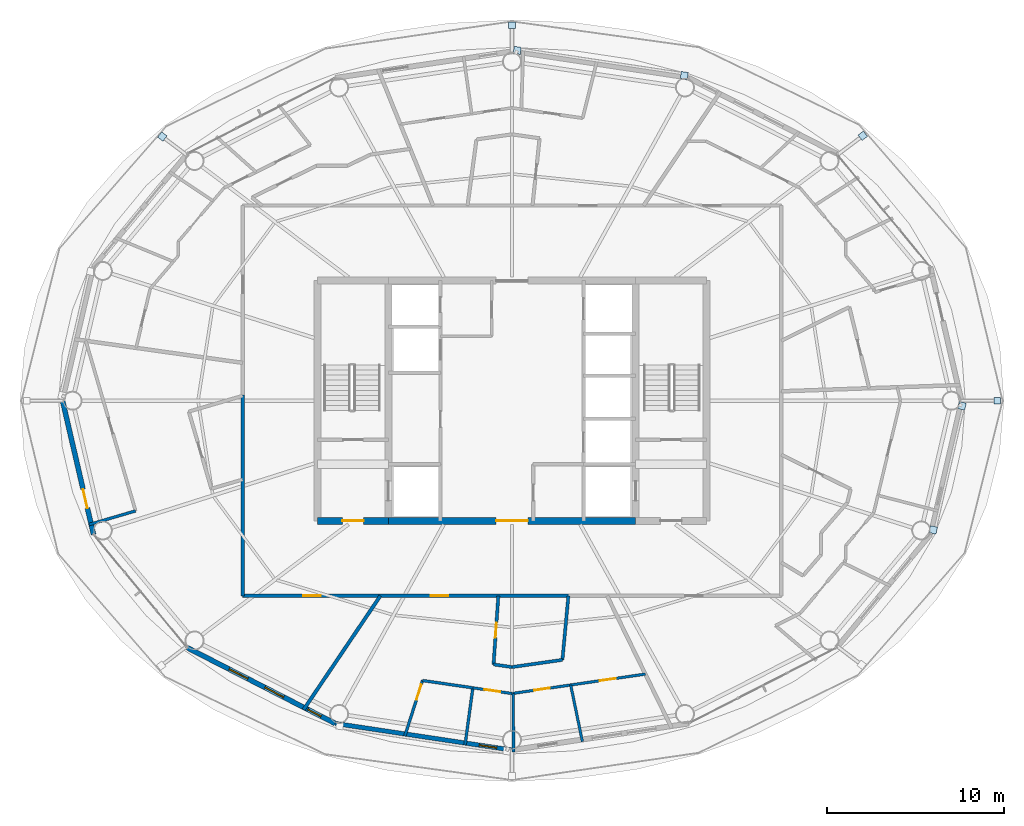
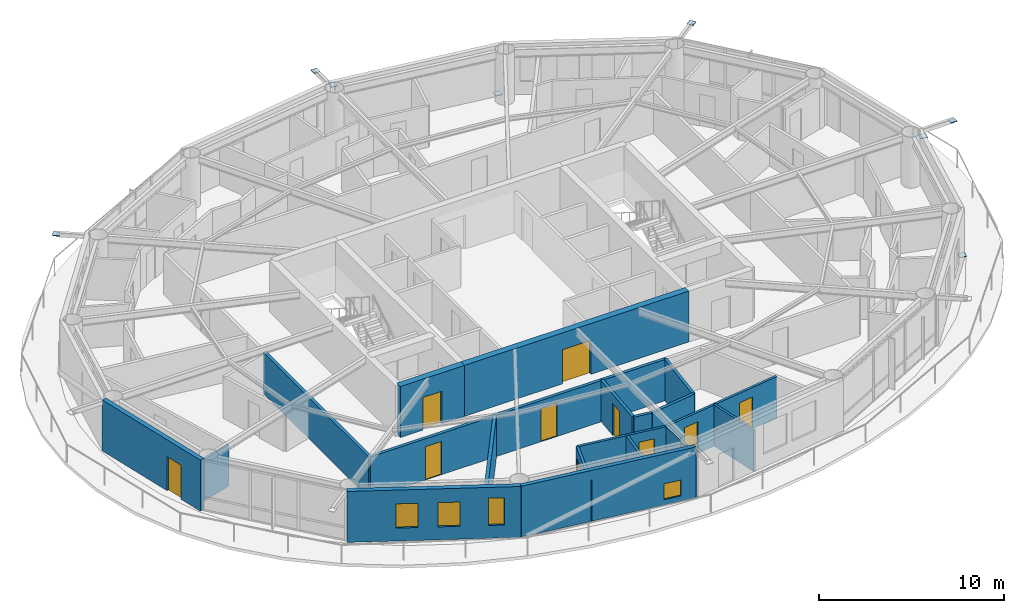
# One storey, part 15 of 23: 20 walls, 10 doors, 8 plates, 4 windows, 14 openings.
"""IFC4 building model written with IfcOpenShell, lengths in metres."""

from ifc_helpers import new_model, si_unit, direction, frame, frame_2d, origin, origin_2d, place, context, subcontext, project, spatial, rectangle, extrude, material, layer, layer_set, type_object, element, fill, save


model = new_model("IFC4")

# Units and contexts
model_context = context("Model", 3, precision=1e-05, world=origin(), true_north=direction((0.0, 1.0)))
body_context = subcontext(model_context, "Body", "Model", "MODEL_VIEW")
ifc_project = project(units=[si_unit("LENGTHUNIT", "METRE"), si_unit("AREAUNIT", "SQUARE_METRE"), si_unit("VOLUMEUNIT", "CUBIC_METRE"), si_unit("PLANEANGLEUNIT", "RADIAN"), si_unit("MASSUNIT", "GRAM", prefix="KILO")], contexts=[model_context])

# Site, building, storey
site_placement = place(None, origin())
site = spatial("IfcSite", under=ifc_project, at=site_placement, CompositionType="ELEMENT")
building_placement = place(site_placement, origin())
building = spatial("IfcBuilding", under=site, at=building_placement, Name="Sarneth Arch Tower", CompositionType="ELEMENT")
storey_placement = place(building_placement, frame((0.0, 0.0, 235.199951171875)))
storey = spatial("IfcBuildingStorey", under=building, at=storey_placement, Name="L60", CompositionType="ELEMENT", Elevation=235.199951171875)

# Plates
ifc_material_1 = material(Name="Steel S355", Category="steel")
ifc_layer_1 = layer(ifc_material_1, 0.035888671875)
ifc_layer_set_1 = layer_set([ifc_layer_1], Name="Steel S355")
plate_type = type_object("IfcPlateType", Name="PLT-GUSSET-30", PredefinedType="SHEET", material=ifc_layer_set_1)
for number, where, z_axis, x_axis, name in (
    (1, (75.48046875, 42.0, 3.18212890625), (0.0, 0.0, 1.0), (1.0, 0.0, 0.0), "Steel end cap plate GP-1"),
    (2, (67.861083984375, 57.000732421875, 3.18212890625), (0.0, 0.0, 1.0), (0.798004853043, 0.602651022168, 0.0), "Steel end cap plate GP-1"),
):
    element("IfcPlate", number, at=place(storey_placement, frame(where, z_axis=z_axis, x_axis=x_axis)), inside=storey, type_object=plate_type, Name=name, PredefinedType="SHEET", context=body_context, shape_type="SweptSolid", body=[
        extrude(rectangle(XDim=0.3798828125, YDim=0.3798828125, at=origin_2d()), origin(), (0.0, 0.0, 1.0), 0.035888671875),
    ])
for number, where, z_axis, x_axis, name in (
    (3, (57.754150390625, 60.411376953125, 0.001953125), (0.0, 0.0, 1.0), (-0.988860535448, 0.148845024885, 0.0), "Steel end cap plate GP-1"),
    (4, (48.296630859375, 61.83544921875, 3.0185546875), (0.0, 0.0, 1.0), (-0.988860535448, 0.148845024885, 0.0), "Steel end cap plate GP-1"),
):
    element("IfcPlate", number, at=place(storey_placement, frame(where, z_axis=z_axis, x_axis=x_axis)), inside=storey, type_object=plate_type, Name=name, PredefinedType="SHEET", context=body_context, shape_type="SweptSolid", body=[
        extrude(rectangle(XDim=0.404052734375, YDim=0.404052734375, at=origin_2d()), origin(), (0.0, 0.0, 1.0), 0.035888671875),
    ])
for number, where, z_axis, x_axis, name in (
    (5, (48.0, 63.252685546875, 3.18212890625), (0.0, 0.0, 1.0), (0.0, 1.0, 0.0), "Steel end cap plate GP-1"),
    (6, (28.199951171875, 56.95458984375, 3.18212890625), (0.0, 0.0, 1.0), (-0.798004853043, 0.602651022168, 0.0), "Steel end cap plate GP-1"),
):
    element("IfcPlate", number, at=place(storey_placement, frame(where, z_axis=z_axis, x_axis=x_axis)), inside=storey, type_object=plate_type, Name=name, PredefinedType="SHEET", context=body_context, shape_type="SweptSolid", body=[
        extrude(rectangle(XDim=0.3798828125, YDim=0.3798828125, at=origin_2d()), origin(), (0.0, 0.0, 1.0), 0.035888671875),
    ])
for number, where, z_axis, x_axis, name in (
    (7, (71.851806640625, 34.6845703125, 0.001953125), (0.0, 0.0, 1.0), (0.225461202458, 0.974252147129, 0.0), "Steel end cap plate GP-1"),
    (8, (73.4765625, 41.707763671875, 3.0185546875), (0.0, 0.0, 1.0), (0.225461202458, 0.974252147129, 0.0), "Steel end cap plate GP-1"),
):
    element("IfcPlate", number, at=place(storey_placement, frame(where, z_axis=z_axis, x_axis=x_axis)), inside=storey, type_object=plate_type, Name=name, PredefinedType="SHEET", context=body_context, shape_type="SweptSolid", body=[
        extrude(rectangle(XDim=0.404052734375, YDim=0.404052734375, at=origin_2d()), origin(), (0.0, 0.0, 1.0), 0.035888671875),
    ])

# Wall, opening, door
ifc_material_2 = material(Name="Concrete C50/60", Category="concrete")
ifc_layer_2 = layer(ifc_material_2, 0.39990234375)
ifc_layer_set_2 = layer_set([ifc_layer_2], Name="Concrete C50/60")
wall_type_1 = type_object("IfcWallType", Name="WALL-CORE-400", PredefinedType="SHEAR", material=ifc_layer_set_2)
wall_1_placement = place(storey_placement, frame((37.0, 35.199951171875, 0.0), z_axis=(0.0, 0.0, 1.0), x_axis=(1.0, 0.0, 0.0)))
wall_1 = element("IfcWall", 9, at=wall_1_placement, inside=storey, type_object=wall_type_1, Name="L60 Core shear wall S-W", PredefinedType="SHEAR", context=body_context, shape_type="SweptSolid", body=[
    extrude(rectangle(XDim=4.0, YDim=0.39990234375, at=frame_2d((2.0, 0.0))), origin(), (0.0, 0.0, 1.0), 3.360107421875),
])
opening_1_placement = place(wall_1_placement, frame((1.39990234375, 0.0, 0.0)))
opening_1 = element("IfcOpeningElement", 10, at=opening_1_placement, cuts=wall_1, Name="Opening FD-02", PredefinedType="OPENING", context=body_context, shape_type="SweptSolid", body=[
    extrude(rectangle(XDim=1.199951171875, YDim=2.14990234375, at=frame_2d((0.60009765625, 1.074951171875))), frame((0.0, 0.2099609375, 0.0), z_axis=(0.0, -1.0, 0.0), x_axis=(1.0, 0.0, 0.0)), (0.0, 0.0, 1.0), 0.419921875),
])
ifc_material_3 = material(Name="Galvanised Steel S275 fire door set", Category="steel")
door_type_1 = type_object("IfcDoorType", Name="DR-FD90-1200", OperationType="SINGLE_SWING_LEFT", PredefinedType="DOOR", material=ifc_material_3)
door_1_placement = place(opening_1_placement, origin())
door_1 = element("IfcDoor", 11, at=door_1_placement, inside=storey, type_object=door_type_1, Name="L60 Firefighting lobby 1 exit door", OperationType="SINGLE_SWING_LEFT", OverallHeight=2.14990234375, OverallWidth=1.199951171875, PredefinedType="DOOR", context=body_context, shape_type="SweptSolid", body=[
    extrude(rectangle(XDim=1.199951171875, YDim=2.14990234375, at=frame_2d((0.60009765625, 1.074951171875))), frame((0.0, 0.02490234375, 0.0), z_axis=(0.0, -1.0, 0.0), x_axis=(1.0, 0.0, 0.0)), (0.0, 0.0, 1.0), 0.050048828125),
])
fill(opening_1, door_1)

wall_2_placement = place(storey_placement, frame((41.0, 35.199951171875, 0.0), z_axis=(0.0, 0.0, 1.0), x_axis=(1.0, 0.0, 0.0)))
wall_2 = element("IfcWall", 12, at=wall_2_placement, inside=storey, type_object=wall_type_1, Name="L60 Core shear wall S-M", PredefinedType="SHEAR", context=body_context, shape_type="SweptSolid", body=[
    extrude(rectangle(XDim=14.0, YDim=0.39990234375, at=frame_2d((7.0, 0.0))), origin(), (0.0, 0.0, 1.0), 3.360107421875),
])
opening_2_placement = place(wall_2_placement, frame((6.10009765625, 0.0, 0.0)))
opening_2 = element("IfcOpeningElement", 13, at=opening_2_placement, cuts=wall_2, Name="Opening FD-01", PredefinedType="OPENING", context=body_context, shape_type="SweptSolid", body=[
    extrude(rectangle(XDim=1.800048828125, YDim=2.25, at=frame_2d((0.89990234375, 1.125))), frame((0.0, 0.2099609375, 0.0), z_axis=(0.0, -1.0, 0.0), x_axis=(1.0, 0.0, 0.0)), (0.0, 0.0, 1.0), 0.419921875),
])
ifc_material_4 = material(Name="Galvanised Steel S275 fire door set", Category="steel")
door_type_2 = type_object("IfcDoorType", Name="DR-FD90-1800", OperationType="DOUBLE_DOOR_SINGLE_SWING", PredefinedType="DOOR", material=ifc_material_4)
door_2_placement = place(opening_2_placement, origin())
door_2 = element("IfcDoor", 14, at=door_2_placement, inside=storey, type_object=door_type_2, Name="L60 Central lift lobby south door", OperationType="DOUBLE_DOOR_SINGLE_SWING", OverallHeight=2.25, OverallWidth=1.800048828125, PredefinedType="DOOR", context=body_context, shape_type="SweptSolid", body=[
    extrude(rectangle(XDim=1.800048828125, YDim=2.25, at=frame_2d((0.89990234375, 1.125))), frame((0.0, 0.02490234375, 0.0), z_axis=(0.0, -1.0, 0.0), x_axis=(1.0, 0.0, 0.0)), (0.0, 0.0, 1.0), 0.050048828125),
])
fill(opening_2, door_2)

# Wall, openings, doors
ifc_material_5 = material(Name="Double steel-stud corridor fire wall", Category="steel")
ifc_layer_3 = layer(ifc_material_5, 0.18994140625)
ifc_layer_set_3 = layer_set([ifc_layer_3], Name="Double steel-stud corridor fire wall")
wall_type_2 = type_object("IfcWallType", Name="WALL-CORR-190", PredefinedType="PARTITIONING", material=ifc_layer_set_3)
wall_3_placement = place(storey_placement, frame((51.2255859375, 30.949951171875, 0.0), z_axis=(0.0, 0.0, 1.0), x_axis=(-1.0, 0.0, 0.0)))
wall_3 = element("IfcWall", 15, at=wall_3_placement, inside=storey, type_object=wall_type_2, Name="L60 Interior partition W-L60-TP-010", PredefinedType="PARTITIONING", context=body_context, shape_type="SweptSolid", body=[
    extrude(rectangle(XDim=18.4755859375, YDim=0.18994140625, at=frame_2d((9.23779296875, 0.0))), origin(), (0.0, 0.0, 1.0), 2.719970703125),
])
opening_3_placement = place(wall_3_placement, frame((14.057861328125, 0.0, 0.0)))
opening_3 = element("IfcOpeningElement", 16, at=opening_3_placement, cuts=wall_3, Name="Opening FD-08", PredefinedType="OPENING", context=body_context, shape_type="SweptSolid", body=[
    extrude(rectangle(XDim=1.0, YDim=2.199951171875, at=frame_2d((0.5, 1.10009765625))), frame((0.0, 0.10498046875, 0.0), z_axis=(0.0, -1.0, 0.0), x_axis=(1.0, 0.0, 0.0)), (0.0, 0.0, 1.0), 0.2099609375),
])
opening_4_placement = place(wall_3_placement, frame((6.838623046875, 0.0, 0.0)))
opening_4 = element("IfcOpeningElement", 17, at=opening_4_placement, cuts=wall_3, Name="Opening FD-08", PredefinedType="OPENING", context=body_context, shape_type="SweptSolid", body=[
    extrude(rectangle(XDim=1.0, YDim=2.199951171875, at=frame_2d((0.5, 1.10009765625))), frame((0.0, 0.10498046875, 0.0), z_axis=(0.0, -1.0, 0.0), x_axis=(1.0, 0.0, 0.0)), (0.0, 0.0, 1.0), 0.2099609375),
])
ifc_material_6 = material(Name="Hardwood timber acoustic fire door", Category="wood")
door_type_3 = type_object("IfcDoorType", Name="DR-FD60-1000", OperationType="SINGLE_SWING_LEFT", PredefinedType="DOOR", material=ifc_material_6)
door_3_placement = place(opening_3_placement, origin())
door_3 = element("IfcDoor", 18, at=door_3_placement, inside=storey, type_object=door_type_3, Name="L60 Interior door DR-L60-U4-ENT", OperationType="SINGLE_SWING_RIGHT", OverallHeight=2.199951171875, OverallWidth=1.0, PredefinedType="DOOR", context=body_context, shape_type="SweptSolid", body=[
    extrude(rectangle(XDim=1.0, YDim=2.199951171875, at=frame_2d((0.5, 1.10009765625))), frame((0.0, 0.02490234375, 0.0), z_axis=(0.0, -1.0, 0.0), x_axis=(1.0, 0.0, 0.0)), (0.0, 0.0, 1.0), 0.050048828125),
])
fill(opening_3, door_3)
door_4_placement = place(opening_4_placement, origin())
door_4 = element("IfcDoor", 19, at=door_4_placement, inside=storey, type_object=door_type_3, Name="L60 Interior door DR-L60-U5-ENT", OperationType="SINGLE_SWING_RIGHT", OverallHeight=2.199951171875, OverallWidth=1.0, PredefinedType="DOOR", context=body_context, shape_type="SweptSolid", body=[
    extrude(rectangle(XDim=1.0, YDim=2.199951171875, at=frame_2d((0.5, 1.10009765625))), frame((0.0, 0.02490234375, 0.0), z_axis=(0.0, -1.0, 0.0), x_axis=(1.0, 0.0, 0.0)), (0.0, 0.0, 1.0), 0.050048828125),
])
fill(opening_4, door_4)

# Wall
wall_4_placement = place(storey_placement, frame((32.75, 30.949951171875, 0.0), z_axis=(0.0, 0.0, 1.0), x_axis=(0.0, 1.0, 0.0)))
element("IfcWall", 20, at=wall_4_placement, inside=storey, type_object=wall_type_2, Name="L60 Interior partition W-L60-TP-011", PredefinedType="PARTITIONING", context=body_context, shape_type="SweptSolid", body=[
    extrude(rectangle(XDim=11.359619140625, YDim=0.18994140625, at=frame_2d((5.6796875, 0.0))), origin(), (0.0, 0.0, 1.0), 2.719970703125),
])

# Wall, opening, window
ifc_material_7 = material(Name="Extruded terracotta rainscreen on Concrete C40/50 backing", Category="masonry")
ifc_layer_4 = layer(ifc_material_7, 0.25)
ifc_layer_set_4 = layer_set([ifc_layer_4], Name="Extruded terracotta rainscreen on Concrete C40/50 backing")
wall_type_3 = type_object("IfcWallType", Name="WALL-EXT-SPAND-250", PredefinedType="SOLIDWALL", material=ifc_layer_set_4)
wall_5_placement = place(storey_placement, frame((37.9873046875, 23.7255859375, 0.0), z_axis=(0.0, 0.0, 1.0), x_axis=(0.988882522213, -0.148698881169, 0.0)))
wall_5 = element("IfcWall", 21, at=wall_5_placement, inside=storey, type_object=wall_type_3, Name="L60 Terracotta perimeter wall 12", PredefinedType="SOLIDWALL", context=body_context, shape_type="SweptSolid", body=[
    extrude(rectangle(XDim=10.125244140625, YDim=0.25, at=frame_2d((5.0625, 0.0))), origin(), (0.0, 0.0, 1.0), 3.360107421875),
])
opening_5_placement = place(wall_5_placement, frame((8.259033203125, 0.0, 0.35009765625)))
opening_5 = element("IfcOpeningElement", 22, at=opening_5_placement, cuts=wall_5, Name="Opening W-14", PredefinedType="OPENING", context=body_context, shape_type="SweptSolid", body=[
    extrude(rectangle(XDim=1.0, YDim=1.050048828125, at=frame_2d((0.5, 0.52490234375))), frame((0.0, 0.135009765625, 0.0), z_axis=(0.0, -1.0, 0.0), x_axis=(1.0, 0.0, 0.0)), (0.0, 0.0, 1.0), 0.27001953125),
])
ifc_material_8 = material(Name="Thermally broken Aluminium 6063-T6 and low-e laminated IGU", Category="aluminium")
window_type_1 = type_object("IfcWindowType", Name="WIN-TWR-1000x1050", PartitioningType="SINGLE_PANEL", PredefinedType="WINDOW", material=ifc_material_8)
window_1_placement = place(opening_5_placement, origin())
window_1 = element("IfcWindow", 23, at=window_1_placement, inside=storey, type_object=window_type_1, Name="L60 Dwelling bedroom window 05", OverallHeight=1.050048828125, OverallWidth=1.0, PartitioningType="SINGLE_PANEL", PredefinedType="WINDOW", context=body_context, shape_type="SweptSolid", body=[
    extrude(rectangle(XDim=1.0, YDim=1.050048828125, at=frame_2d((0.5, 0.52490234375))), frame((0.0, 0.030029296875, 0.0), z_axis=(0.0, -1.0, 0.0), x_axis=(1.0, 0.0, 0.0)), (0.0, 0.0, 1.0), 0.06005859375),
])
fill(opening_5, window_1)

# Wall, opening, door
ifc_material_9 = material(Name="Extruded terracotta rainscreen on Concrete C40/50 backing", Category="masonry")
ifc_layer_5 = layer(ifc_material_9, 0.280029296875)
ifc_layer_set_5 = layer_set([ifc_layer_5], Name="Extruded terracotta rainscreen on Concrete C40/50 backing")
wall_type_4 = type_object("IfcWallType", Name="WALL-EXT-TERRA-280", PredefinedType="SOLIDWALL", material=ifc_layer_set_5)
wall_6_placement = place(storey_placement, frame((22.552978515625, 42.0, 0.0), z_axis=(0.0, 0.0, 1.0), x_axis=(0.225635078214, -0.974211892495, 0.0)))
wall_6 = element("IfcWall", 24, at=wall_6_placement, inside=storey, type_object=wall_type_4, Name="L60 Terracotta perimeter wall 09", PredefinedType="SOLIDWALL", context=body_context, shape_type="SweptSolid", body=[
    extrude(rectangle(XDim=7.77001953125, YDim=0.280029296875, at=frame_2d((3.885009765625, 0.0))), origin(), (0.0, 0.0, 1.0), 3.360107421875),
])
opening_6_placement = place(wall_6_placement, frame((5.14208984375, 0.0, 0.0)))
opening_6 = element("IfcOpeningElement", 25, at=opening_6_placement, cuts=wall_6, Name="Opening BD-3", PredefinedType="OPENING", context=body_context, shape_type="SweptSolid", body=[
    extrude(rectangle(XDim=1.10009765625, YDim=2.25, at=frame_2d((0.550048828125, 1.125))), frame((0.0, 0.14990234375, 0.0), z_axis=(0.0, -1.0, 0.0), x_axis=(1.0, 0.0, 0.0)), (0.0, 0.0, 1.0), 0.300048828125),
])
ifc_material_10 = material(Name="Thermally broken Aluminium 6063-T6 and laminated safety glass", Category="aluminium")
door_type_4 = type_object("IfcDoorType", Name="DR-BALC-GLZ-1100", OperationType="SINGLE_SWING_LEFT", PredefinedType="DOOR", material=ifc_material_10)
door_5_placement = place(opening_6_placement, origin())
door_5 = element("IfcDoor", 26, at=door_5_placement, inside=storey, type_object=door_type_4, Name="L60 Balcony glazed door 09", OperationType="SINGLE_SWING_LEFT", OverallHeight=2.25, OverallWidth=1.10009765625, PredefinedType="DOOR", context=body_context, shape_type="SweptSolid", body=[
    extrude(rectangle(XDim=1.10009765625, YDim=2.25, at=frame_2d((0.550048828125, 1.125))), frame((0.0, 0.02490234375, 0.0), z_axis=(0.0, -1.0, 0.0), x_axis=(1.0, 0.0, 0.0)), (0.0, 0.0, 1.0), 0.050048828125),
])
fill(opening_6, door_5)

# Wall, openings, windows
wall_7_placement = place(storey_placement, frame((29.617431640625, 28.013427734375, 0.0), z_axis=(0.0, 0.0, 1.0), x_axis=(0.890007394051, -0.455946091699, 0.0)))
wall_7 = element("IfcWall", 27, at=wall_7_placement, inside=storey, type_object=wall_type_4, Name="L60 Terracotta perimeter wall 11", PredefinedType="SOLIDWALL", context=body_context, shape_type="SweptSolid", body=[
    extrude(rectangle(XDim=9.404296875, YDim=0.280029296875, at=frame_2d((4.7021484375, 0.0))), origin(), (0.0, 0.0, 1.0), 3.360107421875),
])
opening_7_placement = place(wall_7_placement, frame((2.653076171875, 0.0, 0.85009765625)))
opening_7 = element("IfcOpeningElement", 28, at=opening_7_placement, cuts=wall_7, Name="Opening W-10", PredefinedType="OPENING", context=body_context, shape_type="SweptSolid", body=[
    extrude(rectangle(XDim=1.199951171875, YDim=1.60009765625, at=frame_2d((0.60009765625, 0.800048828125))), frame((0.0, 0.14990234375, 0.0), z_axis=(0.0, -1.0, 0.0), x_axis=(1.0, 0.0, 0.0)), (0.0, 0.0, 1.0), 0.300048828125),
])
opening_8_placement = place(wall_7_placement, frame((4.930419921875, 0.0, 0.85009765625)))
opening_8 = element("IfcOpeningElement", 29, at=opening_8_placement, cuts=wall_7, Name="Opening W-10", PredefinedType="OPENING", context=body_context, shape_type="SweptSolid", body=[
    extrude(rectangle(XDim=1.199951171875, YDim=1.60009765625, at=frame_2d((0.60009765625, 0.800048828125))), frame((0.0, 0.14990234375, 0.0), z_axis=(0.0, -1.0, 0.0), x_axis=(1.0, 0.0, 0.0)), (0.0, 0.0, 1.0), 0.300048828125),
])
opening_9_placement = place(wall_7_placement, frame((7.66259765625, 0.0, 0.85009765625)))
opening_9 = element("IfcOpeningElement", 30, at=opening_9_placement, cuts=wall_7, Name="Opening W-12", PredefinedType="OPENING", context=body_context, shape_type="SweptSolid", body=[
    extrude(rectangle(XDim=0.85009765625, YDim=1.800048828125, at=frame_2d((0.425048828125, 0.89990234375))), frame((0.0, 0.14990234375, 0.0), z_axis=(0.0, -1.0, 0.0), x_axis=(1.0, 0.0, 0.0)), (0.0, 0.0, 1.0), 0.300048828125),
])
ifc_material_11 = material(Name="Thermally broken Aluminium 6063-T6 and low-e laminated IGU", Category="aluminium")
window_type_2 = type_object("IfcWindowType", Name="WIN-TWR-1200x1600", PartitioningType="SINGLE_PANEL", PredefinedType="WINDOW", material=ifc_material_11)
window_2_placement = place(opening_7_placement, origin())
window_2 = element("IfcWindow", 31, at=window_2_placement, inside=storey, type_object=window_type_2, Name="L60 Exterior window 11A", OverallHeight=1.60009765625, OverallWidth=1.199951171875, PartitioningType="SINGLE_PANEL", PredefinedType="WINDOW", context=body_context, shape_type="SweptSolid", body=[
    extrude(rectangle(XDim=1.199951171875, YDim=1.60009765625, at=frame_2d((0.60009765625, 0.800048828125))), frame((0.0, 0.030029296875, 0.0), z_axis=(0.0, -1.0, 0.0), x_axis=(1.0, 0.0, 0.0)), (0.0, 0.0, 1.0), 0.06005859375),
])
fill(opening_7, window_2)
window_3_placement = place(opening_8_placement, origin())
window_3 = element("IfcWindow", 32, at=window_3_placement, inside=storey, type_object=window_type_2, Name="L60 Exterior window 11B", OverallHeight=1.60009765625, OverallWidth=1.199951171875, PartitioningType="SINGLE_PANEL", PredefinedType="WINDOW", context=body_context, shape_type="SweptSolid", body=[
    extrude(rectangle(XDim=1.199951171875, YDim=1.60009765625, at=frame_2d((0.60009765625, 0.800048828125))), frame((0.0, 0.030029296875, 0.0), z_axis=(0.0, -1.0, 0.0), x_axis=(1.0, 0.0, 0.0)), (0.0, 0.0, 1.0), 0.06005859375),
])
fill(opening_8, window_3)
ifc_material_12 = material(Name="Thermally broken Aluminium 6063-T6 and low-e laminated IGU", Category="aluminium")
window_type_3 = type_object("IfcWindowType", Name="WIN-TWR-850x1800", PartitioningType="SINGLE_PANEL", PredefinedType="WINDOW", material=ifc_material_12)
window_4_placement = place(opening_9_placement, origin())
window_4 = element("IfcWindow", 33, at=window_4_placement, inside=storey, type_object=window_type_3, Name="L60 Dwelling bedroom window 04", OverallHeight=1.800048828125, OverallWidth=0.85009765625, PartitioningType="SINGLE_PANEL", PredefinedType="WINDOW", context=body_context, shape_type="SweptSolid", body=[
    extrude(rectangle(XDim=0.85009765625, YDim=1.800048828125, at=frame_2d((0.425048828125, 0.89990234375))), frame((0.0, 0.030029296875, 0.0), z_axis=(0.0, -1.0, 0.0), x_axis=(1.0, 0.0, 0.0)), (0.0, 0.0, 1.0), 0.06005859375),
])
fill(opening_9, window_4)

# Wall, openings, doors
ifc_material_13 = material(Name="Acoustic gypsum stud partition", Category="gypsum")
ifc_layer_6 = layer(ifc_material_13, 0.14990234375)
ifc_layer_set_6 = layer_set([ifc_layer_6], Name="Acoustic gypsum stud partition")
wall_type_5 = type_object("IfcWallType", Name="WALL-PART-150", PredefinedType="PARTITIONING", material=ifc_layer_set_6)
wall_8_placement = place(storey_placement, frame((55.5498046875, 26.52099609375, 0.0), z_axis=(0.0, 0.0, 1.0), x_axis=(-0.989535469331, -0.144289829636, 0.0)))
wall_8 = element("IfcWall", 34, at=wall_8_placement, inside=storey, type_object=wall_type_5, Name="L60 Interior partition W-L60-TP-088", PredefinedType="PARTITIONING", context=body_context, shape_type="SweptSolid", body=[
    extrude(rectangle(XDim=7.588623046875, YDim=0.14990234375, at=frame_2d((3.79443359375, 0.0))), origin(), (0.0, 0.0, 1.0), 2.719970703125),
])
opening_10_placement = place(wall_8_placement, frame((1.701416015625, 0.0, 0.0)))
opening_10 = element("IfcOpeningElement", 35, at=opening_10_placement, cuts=wall_8, Name="Opening ID-01", PredefinedType="OPENING", context=body_context, shape_type="SweptSolid", body=[
    extrude(rectangle(XDim=0.89990234375, YDim=2.10009765625, at=frame_2d((0.449951171875, 1.050048828125))), frame((0.0, 0.0849609375, 0.0), z_axis=(0.0, -1.0, 0.0), x_axis=(1.0, 0.0, 0.0)), (0.0, 0.0, 1.0), 0.169921875),
])
opening_11_placement = place(wall_8_placement, frame((5.463623046875, 0.0, 0.0)))
opening_11 = element("IfcOpeningElement", 36, at=opening_11_placement, cuts=wall_8, Name="Opening ID-01", PredefinedType="OPENING", context=body_context, shape_type="SweptSolid", body=[
    extrude(rectangle(XDim=0.89990234375, YDim=2.10009765625, at=frame_2d((0.449951171875, 1.050048828125))), frame((0.0, 0.0849609375, 0.0), z_axis=(0.0, -1.0, 0.0), x_axis=(1.0, 0.0, 0.0)), (0.0, 0.0, 1.0), 0.169921875),
])
ifc_material_14 = material(Name="Engineered hardwood flush door", Category="wood")
door_type_5 = type_object("IfcDoorType", Name="DR-INT-900", OperationType="SINGLE_SWING_LEFT", PredefinedType="DOOR", material=ifc_material_14)
door_6_placement = place(opening_10_placement, origin())
door_6 = element("IfcDoor", 37, at=door_6_placement, inside=storey, type_object=door_type_5, Name="L60 Interior door DR-L60-U5-BED3", OperationType="SINGLE_SWING_RIGHT", OverallHeight=2.10009765625, OverallWidth=0.89990234375, PredefinedType="DOOR", context=body_context, shape_type="SweptSolid", body=[
    extrude(rectangle(XDim=0.89990234375, YDim=2.10009765625, at=frame_2d((0.449951171875, 1.050048828125))), frame((0.0, 0.02490234375, 0.0), z_axis=(0.0, -1.0, 0.0), x_axis=(1.0, 0.0, 0.0)), (0.0, 0.0, 1.0), 0.050048828125),
])
fill(opening_10, door_6)
door_7_placement = place(opening_11_placement, origin())
door_7 = element("IfcDoor", 38, at=door_7_placement, inside=storey, type_object=door_type_5, Name="L60 Interior door DR-L60-U5-BED2", OperationType="SINGLE_SWING_LEFT", OverallHeight=2.10009765625, OverallWidth=0.89990234375, PredefinedType="DOOR", context=body_context, shape_type="SweptSolid", body=[
    extrude(rectangle(XDim=0.89990234375, YDim=2.10009765625, at=frame_2d((0.449951171875, 1.050048828125))), frame((0.0, 0.02490234375, 0.0), z_axis=(0.0, -1.0, 0.0), x_axis=(1.0, 0.0, 0.0)), (0.0, 0.0, 1.0), 0.050048828125),
])
fill(opening_11, door_7)

# Walls
wall_9_placement = place(storey_placement, frame((48.087158203125, 22.113037109375, 0.0), z_axis=(0.0, 0.0, 1.0), x_axis=(-0.004415292895, 0.999990252547, 0.0)))
element("IfcWall", 39, at=wall_9_placement, inside=storey, type_object=wall_type_5, Name="L60 Interior partition W-L60-TP-091", PredefinedType="PARTITIONING", context=body_context, shape_type="SweptSolid", body=[
    extrude(rectangle(XDim=3.317626953125, YDim=0.14990234375, at=frame_2d((1.65869140625, 0.0))), origin(), (0.0, 0.0, 1.0), 2.719970703125),
])
wall_10_placement = place(storey_placement, frame((51.32373046875, 25.90478515625, 0.0), z_axis=(0.0, 0.0, 1.0), x_axis=(0.202292458381, -0.979325156055, 0.0)))
element("IfcWall", 40, at=wall_10_placement, inside=storey, type_object=wall_type_5, Name="L60 Interior partition W-L60-TP-092", PredefinedType="PARTITIONING", context=body_context, shape_type="SweptSolid", body=[
    extrude(rectangle(XDim=3.274169921875, YDim=0.14990234375, at=frame_2d((1.63720703125, 0.0))), origin(), (0.0, 0.0, 1.0), 2.719970703125),
])

# Wall, opening, door
wall_11_placement = place(storey_placement, frame((45.783203125, 25.743408203125, 0.0), z_axis=(0.0, 0.0, 1.0), x_axis=(0.989520009013, -0.144395816293, 0.0)))
wall_11 = element("IfcWall", 41, at=wall_11_placement, inside=storey, type_object=wall_type_5, Name="L60 Interior partition W-L60-TP-086", PredefinedType="PARTITIONING", context=body_context, shape_type="SweptSolid", body=[
    extrude(rectangle(XDim=2.240234375, YDim=0.14990234375, at=frame_2d((1.1201171875, 0.0))), origin(), (0.0, 0.0, 1.0), 2.719970703125),
])
opening_12_placement = place(wall_11_placement, frame((0.670166015625, 0.0, 0.0)))
opening_12 = element("IfcOpeningElement", 42, at=opening_12_placement, cuts=wall_11, Name="Opening ID-01", PredefinedType="OPENING", context=body_context, shape_type="SweptSolid", body=[
    extrude(rectangle(XDim=0.89990234375, YDim=2.10009765625, at=frame_2d((0.449951171875, 1.050048828125))), frame((0.0, 0.0849609375, 0.0), z_axis=(0.0, -1.0, 0.0), x_axis=(1.0, 0.0, 0.0)), (0.0, 0.0, 1.0), 0.169921875),
])
door_8_placement = place(opening_12_placement, origin())
door_8 = element("IfcDoor", 43, at=door_8_placement, inside=storey, type_object=door_type_5, Name="L60 Interior door DR-L60-U5-BED1", OperationType="SINGLE_SWING_RIGHT", OverallHeight=2.10009765625, OverallWidth=0.89990234375, PredefinedType="DOOR", context=body_context, shape_type="SweptSolid", body=[
    extrude(rectangle(XDim=0.89990234375, YDim=2.10009765625, at=frame_2d((0.449951171875, 1.050048828125))), frame((0.0, 0.02490234375, 0.0), z_axis=(0.0, -1.0, 0.0), x_axis=(1.0, 0.0, 0.0)), (0.0, 0.0, 1.0), 0.050048828125),
])
fill(opening_12, door_8)

ifc_material_15 = material(Name="Kitchen wet service chase wall", Category="gypsum")
ifc_layer_7 = layer(ifc_material_15, 0.159912109375)
ifc_layer_set_7 = layer_set([ifc_layer_7], Name="Kitchen wet service chase wall")
wall_type_6 = type_object("IfcWallType", Name="WALL-PLUMB-160", PredefinedType="PLUMBINGWALL", material=ifc_layer_set_7)
wall_12_placement = place(storey_placement, frame((41.931396484375, 23.0126953125, 0.0), z_axis=(0.0, 0.0, 1.0), x_axis=(0.304448437733, 0.952528817812, 0.0)))
wall_12 = element("IfcWall", 44, at=wall_12_placement, inside=storey, type_object=wall_type_6, Name="L60 Interior partition W-L60-TP-080", PredefinedType="PLUMBINGWALL", context=body_context, shape_type="SweptSolid", body=[
    extrude(rectangle(XDim=3.30224609375, YDim=0.159912109375, at=frame_2d((1.651123046875, 0.0))), origin(), (0.0, 0.0, 1.0), 2.719970703125),
])
opening_13_placement = place(wall_12_placement, frame((2.1611328125, 0.0, 0.0)))
opening_13 = element("IfcOpeningElement", 45, at=opening_13_placement, cuts=wall_12, Name="Opening ID-01", PredefinedType="OPENING", context=body_context, shape_type="SweptSolid", body=[
    extrude(rectangle(XDim=0.89990234375, YDim=2.10009765625, at=frame_2d((0.449951171875, 1.050048828125))), frame((0.0, 0.08984375, 0.0), z_axis=(0.0, -1.0, 0.0), x_axis=(1.0, 0.0, 0.0)), (0.0, 0.0, 1.0), 0.179931640625),
])
door_9_placement = place(opening_13_placement, origin())
door_9 = element("IfcDoor", 46, at=door_9_placement, inside=storey, type_object=door_type_5, Name="L60 Interior door DR-L60-U5-KIT", OperationType="SINGLE_SWING_RIGHT", OverallHeight=2.10009765625, OverallWidth=0.89990234375, PredefinedType="DOOR", context=body_context, shape_type="SweptSolid", body=[
    extrude(rectangle(XDim=0.89990234375, YDim=2.10009765625, at=frame_2d((0.449951171875, 1.050048828125))), frame((0.0, 0.02490234375, 0.0), z_axis=(0.0, -1.0, 0.0), x_axis=(1.0, 0.0, 0.0)), (0.0, 0.0, 1.0), 0.050048828125),
])
fill(opening_13, door_9)

# Walls
wall_13_placement = place(storey_placement, frame((45.3408203125, 22.49853515625, 0.0), z_axis=(0.0, 0.0, 1.0), x_axis=(0.135083263994, 0.990834250412, 0.0)))
element("IfcWall", 47, at=wall_13_placement, inside=storey, type_object=wall_type_6, Name="L60 Interior partition W-L60-TP-090", PredefinedType="PLUMBINGWALL", context=body_context, shape_type="SweptSolid", body=[
    extrude(rectangle(XDim=3.27490234375, YDim=0.159912109375, at=frame_2d((1.637451171875, 0.0))), origin(), (0.0, 0.0, 1.0), 2.719970703125),
])
wall_14_placement = place(storey_placement, frame((42.936767578125, 26.158203125, 0.0), z_axis=(0.0, 0.0, 1.0), x_axis=(0.989548377589, -0.144201277427, 0.0)))
element("IfcWall", 48, at=wall_14_placement, inside=storey, type_object=wall_type_6, Name="L60 Interior partition W-L60-TP-081", PredefinedType="PLUMBINGWALL", context=body_context, shape_type="SweptSolid", body=[
    extrude(rectangle(XDim=2.87646484375, YDim=0.159912109375, at=frame_2d((1.438232421875, 0.0))), origin(), (0.0, 0.0, 1.0), 2.719970703125),
])
wall_15_placement = place(storey_placement, frame((26.688232421875, 35.760009765625, 0.0), z_axis=(0.0, 0.0, 1.0), x_axis=(-0.959690607454, -0.281058602368, 0.0)))
element("IfcWall", 49, at=wall_15_placement, inside=storey, type_object=wall_type_6, Name="L60 Interior partition W-L60-TP-078", PredefinedType="PLUMBINGWALL", context=body_context, shape_type="SweptSolid", body=[
    extrude(rectangle(XDim=2.744873046875, YDim=0.159912109375, at=frame_2d((1.37255859375, 0.0))), origin(), (0.0, 0.0, 1.0), 2.719970703125),
])

# Wall, opening, door
ifc_material_16 = material(Name="Moisture-resistant plumbing chase wall", Category="gypsum")
ifc_layer_8 = layer(ifc_material_16, 0.179931640625)
ifc_layer_set_8 = layer_set([ifc_layer_8], Name="Moisture-resistant plumbing chase wall")
wall_type_7 = type_object("IfcWallType", Name="WALL-PLUMB-180", PredefinedType="PLUMBINGWALL", material=ifc_layer_set_8)
wall_16_placement = place(storey_placement, frame((47.227294921875, 30.949951171875, 0.0), z_axis=(0.0, 0.0, 1.0), x_axis=(-0.0697885329, -0.997561807948, 0.0)))
wall_16 = element("IfcWall", 50, at=wall_16_placement, inside=storey, type_object=wall_type_7, Name="L60 Interior partition W-L60-TP-082", PredefinedType="PLUMBINGWALL", context=body_context, shape_type="SweptSolid", body=[
    extrude(rectangle(XDim=3.89013671875, YDim=0.179931640625, at=frame_2d((1.945068359375, 0.0))), origin(), (0.0, 0.0, 1.0), 2.719970703125),
])
opening_14_placement = place(wall_16_placement, frame((1.52001953125, 0.0, 0.0)))
opening_14 = element("IfcOpeningElement", 51, at=opening_14_placement, cuts=wall_16, Name="Opening ID-02", PredefinedType="OPENING", context=body_context, shape_type="SweptSolid", body=[
    extrude(rectangle(XDim=0.85009765625, YDim=2.10009765625, at=frame_2d((0.425048828125, 1.050048828125))), frame((0.0, 0.099853515625, 0.0), z_axis=(0.0, -1.0, 0.0), x_axis=(1.0, 0.0, 0.0)), (0.0, 0.0, 1.0), 0.199951171875),
])
ifc_material_17 = material(Name="Moisture-resistant bathroom timber door", Category="wood")
door_type_6 = type_object("IfcDoorType", Name="DR-INT-850", OperationType="SINGLE_SWING_RIGHT", PredefinedType="DOOR", material=ifc_material_17)
door_10_placement = place(opening_14_placement, origin())
door_10 = element("IfcDoor", 52, at=door_10_placement, inside=storey, type_object=door_type_6, Name="L60 Interior door DR-L60-U5-BATH", OperationType="SINGLE_SWING_RIGHT", OverallHeight=2.10009765625, OverallWidth=0.85009765625, PredefinedType="DOOR", context=body_context, shape_type="SweptSolid", body=[
    extrude(rectangle(XDim=0.85009765625, YDim=2.10009765625, at=frame_2d((0.425048828125, 1.050048828125))), frame((0.0, 0.02490234375, 0.0), z_axis=(0.0, -1.0, 0.0), x_axis=(1.0, 0.0, 0.0)), (0.0, 0.0, 1.0), 0.050048828125),
])
fill(opening_14, door_10)

# Walls
wall_17_placement = place(storey_placement, frame((50.855224609375, 27.32861328125, 0.0), z_axis=(0.0, 0.0, 1.0), x_axis=(0.093035036072, 0.995662835534, 0.0)))
element("IfcWall", 53, at=wall_17_placement, inside=storey, type_object=wall_type_7, Name="L60 Interior partition W-L60-TP-085", PredefinedType="PLUMBINGWALL", context=body_context, shape_type="SweptSolid", body=[
    extrude(rectangle(XDim=3.63720703125, YDim=0.179931640625, at=frame_2d((1.818603515625, 0.0))), origin(), (0.0, 0.0, 1.0), 2.719970703125),
])
wall_18_placement = place(storey_placement, frame((48.0, 26.919921875, 0.0), z_axis=(0.0, 0.0, 1.0), x_axis=(0.989910519943, 0.141693904265, 0.0)))
element("IfcWall", 54, at=wall_18_placement, inside=storey, type_object=wall_type_7, Name="L60 Interior partition W-L60-TP-084", PredefinedType="PLUMBINGWALL", context=body_context, shape_type="SweptSolid", body=[
    extrude(rectangle(XDim=2.88427734375, YDim=0.179931640625, at=frame_2d((1.442138671875, 0.0))), origin(), (0.0, 0.0, 1.0), 2.719970703125),
])
wall_19_placement = place(storey_placement, frame((46.955810546875, 27.0693359375, 0.0), z_axis=(0.0, 0.0, 1.0), x_axis=(0.989917064499, -0.141648174766, 0.0)))
element("IfcWall", 55, at=wall_19_placement, inside=storey, type_object=wall_type_7, Name="L60 Interior partition W-L60-TP-083", PredefinedType="PLUMBINGWALL", context=body_context, shape_type="SweptSolid", body=[
    extrude(rectangle(XDim=1.054931640625, YDim=0.179931640625, at=frame_2d((0.52734375, 0.0))), origin(), (0.0, 0.0, 1.0), 2.719970703125),
])
ifc_material_18 = material(Name="Double steel-stud acoustic drywall", Category="steel")
ifc_layer_9 = layer(ifc_material_18, 0.199951171875)
ifc_layer_set_9 = layer_set([ifc_layer_9], Name="Double steel-stud acoustic drywall")
wall_type_8 = type_object("IfcWallType", Name="WALL-UNIT-200", PredefinedType="PARTITIONING", material=ifc_layer_set_9)
wall_20_placement = place(storey_placement, frame((36.20068359375, 24.507080078125, 0.0), z_axis=(0.0, 0.0, 1.0), x_axis=(0.559208454265, 0.8290270832, 0.0)))
element("IfcWall", 56, at=wall_20_placement, inside=storey, type_object=wall_type_8, Name="L60 Interior partition W-L60-TP-079", PredefinedType="PARTITIONING", context=body_context, shape_type="SweptSolid", body=[
    extrude(rectangle(XDim=7.771484375, YDim=0.199951171875, at=frame_2d((3.8857421875, 0.0))), origin(), (0.0, 0.0, 1.0), 2.719970703125),
])

save(model, "model.ifc")
